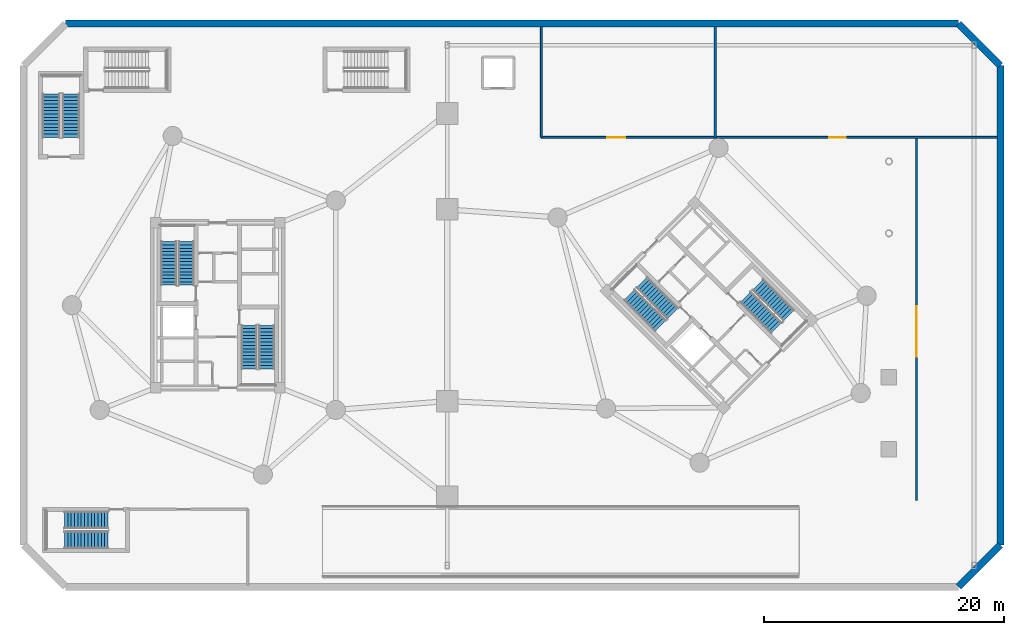
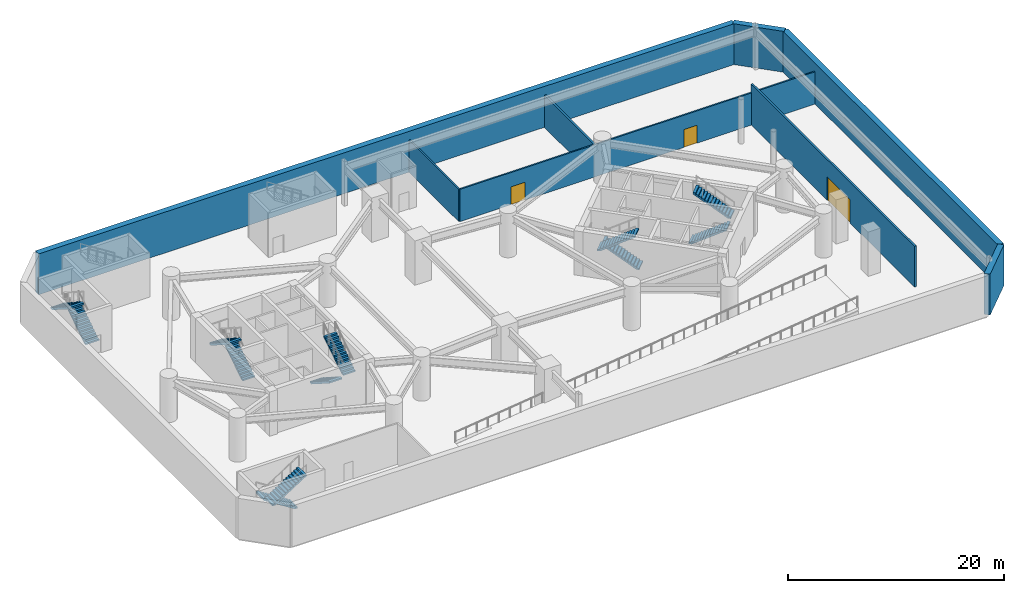
# One storey, part 8 of 14: 12 stair flights, 8 walls, 3 doors, 3 openings, 6 elements without a shape of their own.
"""IFC4 building model written with IfcOpenShell, lengths in metres."""

from ifc_helpers import new_model, si_unit, direction, frame, frame_2d, origin, place, context, subcontext, project, spatial, polyline, rectangle, outline, extrude, source, transform, mapped, material, layer, layer_set, type_object, element, fill, aggregate, save


model = new_model("IFC4")

# Units and contexts
model_context = context("Model", 3, precision=1e-05, world=origin(), true_north=direction((0.0, 1.0)))
body_context = subcontext(model_context, "Body", "Model", "MODEL_VIEW")
ifc_project = project(units=[si_unit("LENGTHUNIT", "METRE"), si_unit("AREAUNIT", "SQUARE_METRE"), si_unit("VOLUMEUNIT", "CUBIC_METRE"), si_unit("PLANEANGLEUNIT", "RADIAN"), si_unit("MASSUNIT", "GRAM", prefix="KILO")], contexts=[model_context])

# Site, building, storey
site_placement = place(None, origin())
site = spatial("IfcSite", under=ifc_project, at=site_placement, CompositionType="ELEMENT")
building_placement = place(site_placement, origin())
building = spatial("IfcBuilding", under=site, at=building_placement, Name="Cununo Teusaquillo Station Towers", CompositionType="ELEMENT")
storey_placement = place(building_placement, frame((0.0, 0.0, -5.0)))
storey = spatial("IfcBuildingStorey", under=building, at=storey_placement, Name="B01", CompositionType="ELEMENT", Elevation=-5.0)

# Wall, openings, doors
ifc_material_1 = material(Name="Fire-rated gypsum plasterboard partition assembly", Category="gypsum")
ifc_layer_1 = layer(ifc_material_1, 0.159912109375)
ifc_layer_set_1 = layer_set([ifc_layer_1], Name="Fire-rated gypsum plasterboard partition assembly")
wall_type_1 = type_object("IfcWallType", Name="WL-PART-160", PredefinedType="PARTITIONING", material=ifc_layer_set_1)
wall_1_placement = place(storey_placement, frame((43.5, 38.5, 0.0), z_axis=(0.0, 0.0, 1.0), x_axis=(1.0, 0.0, 0.0)))
wall_1 = element("IfcWall", 1, at=wall_1_placement, inside=storey, type_object=wall_type_1, Name="B01 North Service & Cycle Wall", PredefinedType="PARTITIONING", context=body_context, shape_type="SweptSolid", body=[
    extrude(rectangle(XDim=38.050048828125, YDim=0.159912109375, at=frame_2d((19.02490234375, 0.0))), origin(), (0.0, 0.0, 1.0), 3.64892578125),
])
shared_shape_1 = source(origin(), body_context, "Body", "SweptSolid", [
    extrude(rectangle(XDim=1.5, YDim=2.02001953125, at=frame_2d((0.75, 1.010009765625))), frame((0.0, 0.08984375, 0.0), z_axis=(0.0, -1.0, 0.0), x_axis=(1.0, 0.0, 0.0)), (0.0, 0.0, 1.0), 0.179931640625),
])
opening_1_placement = place(wall_1_placement, frame((5.5, 0.0, 0.0)))
opening_1 = element("IfcOpeningElement", 2, at=opening_1_placement, cuts=wall_1, Name="Opening D-LB1", PredefinedType="OPENING", context=body_context, shape_type="MappedRepresentation", body=[
    mapped(shared_shape_1, transform((0.0, 0.0, 0.0), x_axis=(1.0, 0.0, 0.0), y_axis=(0.0, 1.0, 0.0), z_axis=(0.0, 0.0, 1.0), scale=1.0)),
])
shared_shape_2 = source(origin(), body_context, "Body", "SweptSolid", [
    extrude(rectangle(XDim=1.39990234375, YDim=2.02001953125, at=frame_2d((0.699951171875, 1.010009765625))), frame((0.0, 0.08984375, 0.0), z_axis=(0.0, -1.0, 0.0), x_axis=(1.0, 0.0, 0.0)), (0.0, 0.0, 1.0), 0.179931640625),
])
opening_2_placement = place(wall_1_placement, frame((24.0, 0.0, 0.0)))
opening_2 = element("IfcOpeningElement", 3, at=opening_2_placement, cuts=wall_1, Name="Opening D-PL1", PredefinedType="OPENING", context=body_context, shape_type="MappedRepresentation", body=[
    mapped(shared_shape_2, transform((0.0, 0.0, 0.0), x_axis=(1.0, 0.0, 0.0), y_axis=(0.0, 1.0, 0.0), z_axis=(0.0, 0.0, 1.0), scale=1.0)),
])
ifc_material_2 = material(Name="Galvanised fire-rated hollow steel door assembly", Category="steel")
door_type_1 = type_object("IfcDoorType", Name="DR-LOBBY-1500", OperationType="DOUBLE_DOOR_SINGLE_SWING", PredefinedType="DOOR", material=ifc_material_2)
shared_shape_3 = source(origin(), body_context, "Body", "SweptSolid", [
    extrude(rectangle(XDim=1.5, YDim=2.02001953125, at=frame_2d((0.75, 1.010009765625))), frame((0.0, 0.02490234375, 0.0), z_axis=(0.0, -1.0, 0.0), x_axis=(1.0, 0.0, 0.0)), (0.0, 0.0, 1.0), 0.050048828125),
])
door_1_placement = place(opening_1_placement, origin())
door_1 = element("IfcDoor", 4, at=door_1_placement, inside=storey, type_object=door_type_1, Name="B01 Secure Commuter Bicycle Hub Door", OperationType="DOUBLE_DOOR_SINGLE_SWING", OverallHeight=2.02001953125, OverallWidth=1.5, PredefinedType="DOOR", context=body_context, shape_type="MappedRepresentation", body=[
    mapped(shared_shape_3, transform((0.0, 0.0, 0.0), x_axis=(1.0, 0.0, 0.0), y_axis=(0.0, 1.0, 0.0), z_axis=(0.0, 0.0, 1.0), scale=1.0)),
])
fill(opening_1, door_1)
ifc_material_3 = material(Name="Galvanised fire-rated hollow steel door assembly", Category="steel")
door_type_2 = type_object("IfcDoorType", Name="DR-PLANT-1400", OperationType="NOTDEFINED", PredefinedType="DOOR", material=ifc_material_3)
shared_shape_4 = source(origin(), body_context, "Body", "SweptSolid", [
    extrude(rectangle(XDim=1.39990234375, YDim=2.02001953125, at=frame_2d((0.699951171875, 1.010009765625))), frame((0.0, 0.02490234375, 0.0), z_axis=(0.0, -1.0, 0.0), x_axis=(1.0, 0.0, 0.0)), (0.0, 0.0, 1.0), 0.050048828125),
])
door_2_placement = place(opening_2_placement, origin())
door_2 = element("IfcDoor", 5, at=door_2_placement, inside=storey, type_object=door_type_2, Name="B01 Central Chiller Plant Door", OperationType="SINGLE_SWING_LEFT", OverallHeight=2.02001953125, OverallWidth=1.39990234375, PredefinedType="DOOR", context=body_context, shape_type="MappedRepresentation", body=[
    mapped(shared_shape_4, transform((0.0, 0.0, 0.0), x_axis=(1.0, 0.0, 0.0), y_axis=(0.0, 1.0, 0.0), z_axis=(0.0, 0.0, 1.0), scale=1.0)),
])
fill(opening_2, door_2)

# Walls
wall_2_placement = place(storey_placement, frame((43.5, 38.5, 0.0), z_axis=(0.0, 0.0, 1.0), x_axis=(0.0, 1.0, 0.0)))
element("IfcWall", 6, at=wall_2_placement, inside=storey, type_object=wall_type_1, Name="B01 Cycle Hub West Wall", PredefinedType="PARTITIONING", context=body_context, shape_type="SweptSolid", body=[
    extrude(rectangle(XDim=9.25, YDim=0.159912109375, at=frame_2d((4.625, 0.0))), origin(), (0.0, 0.0, 1.0), 3.64892578125),
])
ifc_material_4 = material(Name="Fire-rated gypsum plasterboard partition assembly", Category="gypsum")
ifc_layer_2 = layer(ifc_material_4, 0.199951171875)
ifc_layer_set_2 = layer_set([ifc_layer_2], Name="Fire-rated gypsum plasterboard partition assembly")
wall_type_2 = type_object("IfcWallType", Name="WL-PART-200", PredefinedType="PARTITIONING", material=ifc_layer_set_2)
wall_3_placement = place(storey_placement, frame((58.0, 38.5, 0.0), z_axis=(0.0, 0.0, 1.0), x_axis=(0.0, 1.0, 0.0)))
element("IfcWall", 7, at=wall_3_placement, inside=storey, type_object=wall_type_2, Name="B01 Cycle & Chiller Compartment Wall", PredefinedType="PARTITIONING", context=body_context, shape_type="SweptSolid", body=[
    extrude(rectangle(XDim=9.25, YDim=0.199951171875, at=frame_2d((4.625, 0.0))), origin(), (0.0, 0.0, 1.0), 3.64892578125),
])

# Wall, opening, door
wall_4_placement = place(storey_placement, frame((74.800048828125, 8.199951171875, 0.0), z_axis=(0.0, 0.0, 1.0), x_axis=(0.0, 1.0, 0.0)))
wall_4 = element("IfcWall", 8, at=wall_4_placement, inside=storey, type_object=wall_type_2, Name="B01 Service Loading Bay Wall", PredefinedType="PARTITIONING", context=body_context, shape_type="SweptSolid", body=[
    extrude(rectangle(XDim=30.300048828125, YDim=0.199951171875, at=frame_2d((15.14990234375, 0.0))), origin(), (0.0, 0.0, 1.0), 4.60498046875),
])
shared_shape_5 = source(origin(), body_context, "Body", "SweptSolid", [
    extrude(rectangle(XDim=4.199951171875, YDim=2.64990234375, at=frame_2d((2.10009765625, 1.324951171875))), frame((0.0, 0.10986328125, 0.0), z_axis=(0.0, -1.0, 0.0), x_axis=(1.0, 0.0, 0.0)), (0.0, 0.0, 1.0), 0.219970703125),
])
opening_3_placement = place(wall_4_placement, frame((12.0, 0.0, 0.0)))
opening_3 = element("IfcOpeningElement", 9, at=opening_3_placement, cuts=wall_4, Name="Opening D-RS1", PredefinedType="OPENING", context=body_context, shape_type="MappedRepresentation", body=[
    mapped(shared_shape_5, transform((0.0, 0.0, 0.0), x_axis=(1.0, 0.0, 0.0), y_axis=(0.0, 1.0, 0.0), z_axis=(0.0, 0.0, 1.0), scale=1.0)),
])
ifc_material_5 = material(Name="Galvanised fire-rated hollow steel door assembly", Category="steel")
door_type_3 = type_object("IfcDoorType", Name="DR-SHUTTER-4200", OperationType="ROLLINGUP", PredefinedType="GATE", material=ifc_material_5)
shared_shape_6 = source(origin(), body_context, "Body", "SweptSolid", [
    extrude(rectangle(XDim=4.199951171875, YDim=2.64990234375, at=frame_2d((2.10009765625, 1.324951171875))), frame((0.0, 0.02490234375, 0.0), z_axis=(0.0, -1.0, 0.0), x_axis=(1.0, 0.0, 0.0)), (0.0, 0.0, 1.0), 0.050048828125),
])
door_3_placement = place(opening_3_placement, origin())
door_3 = element("IfcDoor", 10, at=door_3_placement, inside=storey, type_object=door_type_3, Name="B01 Logistics Loading & Refuse Bay Door", OperationType="ROLLINGUP", OverallHeight=2.64990234375, OverallWidth=4.199951171875, PredefinedType="GATE", context=body_context, shape_type="MappedRepresentation", body=[
    mapped(shared_shape_6, transform((0.0, 0.0, 0.0), x_axis=(1.0, 0.0, 0.0), y_axis=(0.0, 1.0, 0.0), z_axis=(0.0, 0.0, 1.0), scale=1.0)),
])
fill(opening_3, door_3)

# Walls
ifc_material_6 = material(Name="Concrete C50/60", Category="concrete")
ifc_layer_3 = layer(ifc_material_6, 0.60009765625)
ifc_layer_set_3 = layer_set([ifc_layer_3], Name="Concrete C50/60")
wall_type_3 = type_object("IfcWallType", Name="WL-RET-600", PredefinedType="SOLIDWALL", material=ifc_layer_set_3)
wall_5_placement = place(storey_placement, frame((78.300048828125, 1.0, 0.0), z_axis=(0.0, 0.0, 1.0), x_axis=(0.707106781187, 0.707106781187, 0.0)))
element("IfcWall", 11, at=wall_5_placement, inside=storey, type_object=wall_type_3, Name="B01 Basement Diaphragm Retaining Wall 2", PredefinedType="SOLIDWALL", context=body_context, shape_type="SweptSolid", body=[
    extrude(rectangle(XDim=4.94970703125, YDim=0.60009765625, at=frame_2d((2.474853515625, 0.0))), origin(), (0.0, 0.0, 1.0), 4.6201171875),
])
wall_6_placement = place(storey_placement, frame((81.800048828125, 4.5, 0.0), z_axis=(0.0, 0.0, 1.0), x_axis=(0.0, 1.0, 0.0)))
element("IfcWall", 12, at=wall_6_placement, inside=storey, type_object=wall_type_3, Name="B01 Basement Diaphragm Retaining Wall 3", PredefinedType="SOLIDWALL", context=body_context, shape_type="SweptSolid", body=[
    extrude(rectangle(XDim=40.0, YDim=0.60009765625, at=frame_2d((20.0, 0.0))), origin(), (0.0, 0.0, 1.0), 4.6201171875),
])
wall_7_placement = place(storey_placement, frame((81.800048828125, 44.5, 0.0), z_axis=(0.0, 0.0, 1.0), x_axis=(-0.707106781187, 0.707106781187, 0.0)))
element("IfcWall", 13, at=wall_7_placement, inside=storey, type_object=wall_type_3, Name="B01 Basement Diaphragm Retaining Wall 4", PredefinedType="SOLIDWALL", context=body_context, shape_type="SweptSolid", body=[
    extrude(rectangle(XDim=4.94970703125, YDim=0.60009765625, at=frame_2d((2.474853515625, 0.0))), origin(), (0.0, 0.0, 1.0), 4.6201171875),
])
wall_8_placement = place(storey_placement, frame((78.300048828125, 48.0, 0.0), z_axis=(0.0, 0.0, 1.0), x_axis=(-1.0, 0.0, 0.0)))
element("IfcWall", 14, at=wall_8_placement, inside=storey, type_object=wall_type_3, Name="B01 Basement Diaphragm Retaining Wall 5", PredefinedType="SOLIDWALL", context=body_context, shape_type="SweptSolid", body=[
    extrude(rectangle(XDim=74.5, YDim=0.60009765625, at=frame_2d((37.25, 0.0))), origin(), (0.0, 0.0, 1.0), 4.6201171875),
])

# Stair, stair flights
ifc_material_7 = material(Name="Concrete C50/60", Category="concrete")
stair_type_1 = type_object("IfcStairType", Name="ST-POD-1450", PredefinedType="HALF_TURN_STAIR", material=ifc_material_7)
stair_1_placement = place(storey_placement, origin())
stair_1 = element("IfcStair", 15, at=stair_1_placement, inside=storey, type_object=stair_type_1, Name="B01 Station Podium South Protected Exit Stair", PredefinedType="HALF_TURN_STAIR")
ifc_material_8 = material(Name="Concrete C50/60", Category="concrete")
stair_flight_type_1 = type_object("IfcStairFlightType", Name="SFL-POD-1450", PredefinedType="STRAIGHT", material=ifc_material_8)
stair_flight_1_placement = place(storey_placement, frame((7.35009765625, 6.574951171875, 0.0), z_axis=(0.0, 0.0, 1.0), x_axis=(-1.0, 0.0, 0.0)))
stair_flight_1 = element("IfcStairFlight", 16, at=stair_flight_1_placement, type_object=stair_flight_type_1, Name="ST-POD-S flight 1", NumberOfRisers=14, NumberOfTreads=13, PredefinedType="STRAIGHT", RiserHeight=0.178571429, TreadLength=0.28, context=body_context, shape_type="SweptSolid", body=[
    extrude(outline(polyline([(0.0, 0.0), (0.0, 0.178466796875), (0.280029296875, 0.178466796875), (0.280029296875, 0.357177734375), (0.56005859375, 0.357177734375), (0.56005859375, 0.53564453125), (0.840087890625, 0.53564453125), (0.840087890625, 0.71435546875), (1.1201171875, 0.71435546875), (1.1201171875, 0.892822265625), (1.39990234375, 0.892822265625), (1.39990234375, 1.071533203125), (1.679931640625, 1.071533203125), (1.679931640625, 1.25), (1.9599609375, 1.25), (1.9599609375, 1.428466796875), (2.239990234375, 1.428466796875), (2.239990234375, 1.607177734375), (2.52001953125, 1.607177734375), (2.52001953125, 1.78564453125), (2.800048828125, 1.78564453125), (2.800048828125, 1.96435546875), (3.080078125, 1.96435546875), (3.080078125, 2.142822265625), (3.360107421875, 2.142822265625), (3.360107421875, 2.321533203125), (3.639892578125, 2.321533203125), (3.639892578125, 2.5), (3.639892578125, 2.1435546875), (0.27880859375, 0.0), (0.0, 0.0)])), frame((0.0, 0.72509765625, 0.0), z_axis=(0.0, -1.0, 0.0), x_axis=(1.0, 0.0, 0.0)), (0.0, 0.0, 1.0), 1.449951171875),
])
stair_flight_2_placement = place(storey_placement, frame((3.7099609375, 4.925048828125, 2.5), z_axis=(0.0, 0.0, 1.0), x_axis=(1.0, 0.0, 0.0)))
stair_flight_2 = element("IfcStairFlight", 17, at=stair_flight_2_placement, type_object=stair_flight_type_1, Name="ST-POD-S flight 2", NumberOfRisers=14, NumberOfTreads=13, PredefinedType="STRAIGHT", RiserHeight=0.178571429, TreadLength=0.28, context=body_context, shape_type="SweptSolid", body=[
    extrude(outline(polyline([(0.0, 0.0), (0.0, 0.178466796875), (0.280029296875, 0.178466796875), (0.280029296875, 0.357177734375), (0.56005859375, 0.357177734375), (0.56005859375, 0.53564453125), (0.840087890625, 0.53564453125), (0.840087890625, 0.71435546875), (1.1201171875, 0.71435546875), (1.1201171875, 0.892822265625), (1.39990234375, 0.892822265625), (1.39990234375, 1.071533203125), (1.679931640625, 1.071533203125), (1.679931640625, 1.25), (1.9599609375, 1.25), (1.9599609375, 1.428466796875), (2.239990234375, 1.428466796875), (2.239990234375, 1.607177734375), (2.52001953125, 1.607177734375), (2.52001953125, 1.78564453125), (2.800048828125, 1.78564453125), (2.800048828125, 1.96435546875), (3.080078125, 1.96435546875), (3.080078125, 2.142822265625), (3.360107421875, 2.142822265625), (3.360107421875, 2.321533203125), (3.639892578125, 2.321533203125), (3.639892578125, 2.5), (3.639892578125, 2.1435546875), (0.27880859375, 0.0), (0.0, 0.0)])), frame((0.0, 0.72509765625, 0.0), z_axis=(0.0, -1.0, 0.0), x_axis=(1.0, 0.0, 0.0)), (0.0, 0.0, 1.0), 1.449951171875),
])
aggregate(stair_1, [stair_flight_1, stair_flight_2])

stair_2_placement = place(storey_placement, origin())
stair_2 = element("IfcStair", 18, at=stair_2_placement, inside=storey, type_object=stair_type_1, Name="B01 Station Podium West Protected Exit Stair", PredefinedType="HALF_TURN_STAIR")
stair_flight_3_placement = place(storey_placement, frame((4.2548828125, 38.5, 0.0), z_axis=(0.0, 0.0, 1.0), x_axis=(0.0, 1.0, 0.0)))
stair_flight_3 = element("IfcStairFlight", 19, at=stair_flight_3_placement, type_object=stair_flight_type_1, Name="ST-POD-W flight 1", NumberOfRisers=14, NumberOfTreads=13, PredefinedType="STRAIGHT", RiserHeight=0.178571429, TreadLength=0.28, context=body_context, shape_type="SweptSolid", body=[
    extrude(outline(polyline([(0.0, 0.0), (0.0, 0.178466796875), (0.280029296875, 0.178466796875), (0.280029296875, 0.357177734375), (0.56005859375, 0.357177734375), (0.56005859375, 0.53564453125), (0.840087890625, 0.53564453125), (0.840087890625, 0.71435546875), (1.1201171875, 0.71435546875), (1.1201171875, 0.892822265625), (1.39990234375, 0.892822265625), (1.39990234375, 1.071533203125), (1.679931640625, 1.071533203125), (1.679931640625, 1.25), (1.9599609375, 1.25), (1.9599609375, 1.428466796875), (2.239990234375, 1.428466796875), (2.239990234375, 1.607177734375), (2.52001953125, 1.607177734375), (2.52001953125, 1.78564453125), (2.800048828125, 1.78564453125), (2.800048828125, 1.96435546875), (3.080078125, 1.96435546875), (3.080078125, 2.142822265625), (3.360107421875, 2.142822265625), (3.360107421875, 2.321533203125), (3.639892578125, 2.321533203125), (3.639892578125, 2.5), (3.639892578125, 2.1435546875), (0.27880859375, 0.0), (0.0, 0.0)])), frame((0.0, 0.72509765625, 0.0), z_axis=(0.0, -1.0, 0.0), x_axis=(1.0, 0.0, 0.0)), (0.0, 0.0, 1.0), 1.449951171875),
])
stair_flight_4_placement = place(storey_placement, frame((2.60498046875, 42.139892578125, 2.5), z_axis=(0.0, 0.0, 1.0), x_axis=(0.0, -1.0, 0.0)))
stair_flight_4 = element("IfcStairFlight", 20, at=stair_flight_4_placement, type_object=stair_flight_type_1, Name="ST-POD-W flight 2", NumberOfRisers=14, NumberOfTreads=13, PredefinedType="STRAIGHT", RiserHeight=0.178571429, TreadLength=0.28, context=body_context, shape_type="SweptSolid", body=[
    extrude(outline(polyline([(0.0, 0.0), (0.0, 0.178466796875), (0.280029296875, 0.178466796875), (0.280029296875, 0.357177734375), (0.56005859375, 0.357177734375), (0.56005859375, 0.53564453125), (0.840087890625, 0.53564453125), (0.840087890625, 0.71435546875), (1.1201171875, 0.71435546875), (1.1201171875, 0.892822265625), (1.39990234375, 0.892822265625), (1.39990234375, 1.071533203125), (1.679931640625, 1.071533203125), (1.679931640625, 1.25), (1.9599609375, 1.25), (1.9599609375, 1.428466796875), (2.239990234375, 1.428466796875), (2.239990234375, 1.607177734375), (2.52001953125, 1.607177734375), (2.52001953125, 1.78564453125), (2.800048828125, 1.78564453125), (2.800048828125, 1.96435546875), (3.080078125, 1.96435546875), (3.080078125, 2.142822265625), (3.360107421875, 2.142822265625), (3.360107421875, 2.321533203125), (3.639892578125, 2.321533203125), (3.639892578125, 2.5), (3.639892578125, 2.1435546875), (0.27880859375, 0.0), (0.0, 0.0)])), frame((0.0, 0.72509765625, 0.0), z_axis=(0.0, -1.0, 0.0), x_axis=(1.0, 0.0, 0.0)), (0.0, 0.0, 1.0), 1.449951171875),
])
aggregate(stair_2, [stair_flight_3, stair_flight_4])

ifc_material_9 = material(Name="Concrete C50/60", Category="concrete")
stair_type_2 = type_object("IfcStairType", Name="ST-TWR-1300", PredefinedType="HALF_TURN_STAIR", material=ifc_material_9)
stair_3_placement = place(storey_placement, origin())
stair_3 = element("IfcStair", 21, at=stair_3_placement, inside=storey, type_object=stair_type_2, Name="B01 Tower A Protected Core Exit Stair 1", PredefinedType="HALF_TURN_STAIR")
ifc_material_10 = material(Name="Concrete C50/60", Category="concrete")
stair_flight_type_2 = type_object("IfcStairFlightType", Name="SFL-TWR-1300", PredefinedType="STRAIGHT", material=ifc_material_10)
stair_flight_5_placement = place(storey_placement, frame((13.8701171875, 26.169921875, 0.0), z_axis=(0.0, 0.0, 1.0), x_axis=(0.0, 1.0, 0.0)))
stair_flight_5 = element("IfcStairFlight", 22, at=stair_flight_5_placement, type_object=stair_flight_type_2, Name="ST-T1-1 flight 1", NumberOfRisers=14, NumberOfTreads=13, PredefinedType="STRAIGHT", RiserHeight=0.178571429, TreadLength=0.28, context=body_context, shape_type="SweptSolid", body=[
    extrude(outline(polyline([(0.0, 0.0), (0.0, 0.178466796875), (0.280029296875, 0.178466796875), (0.280029296875, 0.357177734375), (0.56005859375, 0.357177734375), (0.56005859375, 0.53564453125), (0.840087890625, 0.53564453125), (0.840087890625, 0.71435546875), (1.1201171875, 0.71435546875), (1.1201171875, 0.892822265625), (1.39990234375, 0.892822265625), (1.39990234375, 1.071533203125), (1.679931640625, 1.071533203125), (1.679931640625, 1.25), (1.9599609375, 1.25), (1.9599609375, 1.428466796875), (2.239990234375, 1.428466796875), (2.239990234375, 1.607177734375), (2.52001953125, 1.607177734375), (2.52001953125, 1.78564453125), (2.800048828125, 1.78564453125), (2.800048828125, 1.96435546875), (3.080078125, 1.96435546875), (3.080078125, 2.142822265625), (3.360107421875, 2.142822265625), (3.360107421875, 2.321533203125), (3.639892578125, 2.321533203125), (3.639892578125, 2.5), (3.639892578125, 2.1435546875), (0.27880859375, 0.0), (0.0, 0.0)])), frame((0.0, 0.64990234375, 0.0), z_axis=(0.0, -1.0, 0.0), x_axis=(1.0, 0.0, 0.0)), (0.0, 0.0, 1.0), 1.300048828125),
])
stair_flight_6_placement = place(storey_placement, frame((12.409912109375, 29.81005859375, 2.5), z_axis=(0.0, 0.0, 1.0), x_axis=(0.0, -1.0, 0.0)))
stair_flight_6 = element("IfcStairFlight", 23, at=stair_flight_6_placement, type_object=stair_flight_type_2, Name="ST-T1-1 flight 2", NumberOfRisers=14, NumberOfTreads=13, PredefinedType="STRAIGHT", RiserHeight=0.178571429, TreadLength=0.28, context=body_context, shape_type="SweptSolid", body=[
    extrude(outline(polyline([(0.0, 0.0), (0.0, 0.178466796875), (0.280029296875, 0.178466796875), (0.280029296875, 0.357177734375), (0.56005859375, 0.357177734375), (0.56005859375, 0.53564453125), (0.840087890625, 0.53564453125), (0.840087890625, 0.71435546875), (1.1201171875, 0.71435546875), (1.1201171875, 0.892822265625), (1.39990234375, 0.892822265625), (1.39990234375, 1.071533203125), (1.679931640625, 1.071533203125), (1.679931640625, 1.25), (1.9599609375, 1.25), (1.9599609375, 1.428466796875), (2.239990234375, 1.428466796875), (2.239990234375, 1.607177734375), (2.52001953125, 1.607177734375), (2.52001953125, 1.78564453125), (2.800048828125, 1.78564453125), (2.800048828125, 1.96435546875), (3.080078125, 1.96435546875), (3.080078125, 2.142822265625), (3.360107421875, 2.142822265625), (3.360107421875, 2.321533203125), (3.639892578125, 2.321533203125), (3.639892578125, 2.5), (3.639892578125, 2.1435546875), (0.27880859375, 0.0), (0.0, 0.0)])), frame((0.0, 0.64990234375, 0.0), z_axis=(0.0, -1.0, 0.0), x_axis=(1.0, 0.0, 0.0)), (0.0, 0.0, 1.0), 1.300048828125),
])
aggregate(stair_3, [stair_flight_5, stair_flight_6])

stair_4_placement = place(storey_placement, origin())
stair_4 = element("IfcStair", 24, at=stair_4_placement, inside=storey, type_object=stair_type_2, Name="B01 Tower A Protected Core Exit Stair 2", PredefinedType="HALF_TURN_STAIR")
stair_flight_7_placement = place(storey_placement, frame((19.1298828125, 22.830078125, 0.0), z_axis=(0.0, 0.0, 1.0), x_axis=(0.0, -1.0, 0.0)))
stair_flight_7 = element("IfcStairFlight", 25, at=stair_flight_7_placement, type_object=stair_flight_type_2, Name="ST-T1-2 flight 1", NumberOfRisers=14, NumberOfTreads=13, PredefinedType="STRAIGHT", RiserHeight=0.178571429, TreadLength=0.28, context=body_context, shape_type="SweptSolid", body=[
    extrude(outline(polyline([(0.0, 0.0), (0.0, 0.178466796875), (0.280029296875, 0.178466796875), (0.280029296875, 0.357177734375), (0.56005859375, 0.357177734375), (0.56005859375, 0.53564453125), (0.840087890625, 0.53564453125), (0.840087890625, 0.71435546875), (1.1201171875, 0.71435546875), (1.1201171875, 0.892822265625), (1.39990234375, 0.892822265625), (1.39990234375, 1.071533203125), (1.679931640625, 1.071533203125), (1.679931640625, 1.25), (1.9599609375, 1.25), (1.9599609375, 1.428466796875), (2.239990234375, 1.428466796875), (2.239990234375, 1.607177734375), (2.52001953125, 1.607177734375), (2.52001953125, 1.78564453125), (2.800048828125, 1.78564453125), (2.800048828125, 1.96435546875), (3.080078125, 1.96435546875), (3.080078125, 2.142822265625), (3.360107421875, 2.142822265625), (3.360107421875, 2.321533203125), (3.639892578125, 2.321533203125), (3.639892578125, 2.5), (3.639892578125, 2.1435546875), (0.27880859375, 0.0), (0.0, 0.0)])), frame((0.0, 0.64990234375, 0.0), z_axis=(0.0, -1.0, 0.0), x_axis=(1.0, 0.0, 0.0)), (0.0, 0.0, 1.0), 1.300048828125),
])
stair_flight_8_placement = place(storey_placement, frame((20.590087890625, 19.18994140625, 2.5), z_axis=(0.0, 0.0, 1.0), x_axis=(0.0, 1.0, 0.0)))
stair_flight_8 = element("IfcStairFlight", 26, at=stair_flight_8_placement, type_object=stair_flight_type_2, Name="ST-T1-2 flight 2", NumberOfRisers=14, NumberOfTreads=13, PredefinedType="STRAIGHT", RiserHeight=0.178571429, TreadLength=0.28, context=body_context, shape_type="SweptSolid", body=[
    extrude(outline(polyline([(0.0, 0.0), (0.0, 0.178466796875), (0.280029296875, 0.178466796875), (0.280029296875, 0.357177734375), (0.56005859375, 0.357177734375), (0.56005859375, 0.53564453125), (0.840087890625, 0.53564453125), (0.840087890625, 0.71435546875), (1.1201171875, 0.71435546875), (1.1201171875, 0.892822265625), (1.39990234375, 0.892822265625), (1.39990234375, 1.071533203125), (1.679931640625, 1.071533203125), (1.679931640625, 1.25), (1.9599609375, 1.25), (1.9599609375, 1.428466796875), (2.239990234375, 1.428466796875), (2.239990234375, 1.607177734375), (2.52001953125, 1.607177734375), (2.52001953125, 1.78564453125), (2.800048828125, 1.78564453125), (2.800048828125, 1.96435546875), (3.080078125, 1.96435546875), (3.080078125, 2.142822265625), (3.360107421875, 2.142822265625), (3.360107421875, 2.321533203125), (3.639892578125, 2.321533203125), (3.639892578125, 2.5), (3.639892578125, 2.1435546875), (0.27880859375, 0.0), (0.0, 0.0)])), frame((0.0, 0.64990234375, 0.0), z_axis=(0.0, -1.0, 0.0), x_axis=(1.0, 0.0, 0.0)), (0.0, 0.0, 1.0), 1.300048828125),
])
aggregate(stair_4, [stair_flight_7, stair_flight_8])

stair_5_placement = place(storey_placement, origin())
stair_5 = element("IfcStair", 27, at=stair_5_placement, inside=storey, type_object=stair_type_2, Name="B01 Tower B Protected Core Exit Stair 1", PredefinedType="HALF_TURN_STAIR")
stair_flight_9_placement = place(storey_placement, frame((54.45947265625, 23.8212890625, 0.0), z_axis=(0.0, 0.0, 1.0), x_axis=(-0.707106781187, 0.707106781187, 0.0)))
stair_flight_9 = element("IfcStairFlight", 28, at=stair_flight_9_placement, type_object=stair_flight_type_2, Name="ST-T2-1 flight 1", NumberOfRisers=14, NumberOfTreads=13, PredefinedType="STRAIGHT", RiserHeight=0.178571429, TreadLength=0.28, context=body_context, shape_type="SweptSolid", body=[
    extrude(outline(polyline([(0.0, 0.0), (0.0, 0.178466796875), (0.280029296875, 0.178466796875), (0.280029296875, 0.357177734375), (0.56005859375, 0.357177734375), (0.56005859375, 0.53564453125), (0.840087890625, 0.53564453125), (0.840087890625, 0.71435546875), (1.1201171875, 0.71435546875), (1.1201171875, 0.892822265625), (1.39990234375, 0.892822265625), (1.39990234375, 1.071533203125), (1.679931640625, 1.071533203125), (1.679931640625, 1.25), (1.9599609375, 1.25), (1.9599609375, 1.428466796875), (2.239990234375, 1.428466796875), (2.239990234375, 1.607177734375), (2.52001953125, 1.607177734375), (2.52001953125, 1.78564453125), (2.800048828125, 1.78564453125), (2.800048828125, 1.96435546875), (3.080078125, 1.96435546875), (3.080078125, 2.142822265625), (3.360107421875, 2.142822265625), (3.360107421875, 2.321533203125), (3.639892578125, 2.321533203125), (3.639892578125, 2.5), (3.639892578125, 2.1435546875), (0.27880859375, 0.0), (0.0, 0.0)])), frame((0.0, 0.64990234375, 0.0), z_axis=(0.0, -1.0, 0.0), x_axis=(1.0, 0.0, 0.0)), (0.0, 0.0, 1.0), 1.300048828125),
])
stair_flight_10_placement = place(storey_placement, frame((50.853271484375, 25.362548828125, 2.5), z_axis=(0.0, 0.0, 1.0), x_axis=(0.707106781187, -0.707106781187, 0.0)))
stair_flight_10 = element("IfcStairFlight", 29, at=stair_flight_10_placement, type_object=stair_flight_type_2, Name="ST-T2-1 flight 2", NumberOfRisers=14, NumberOfTreads=13, PredefinedType="STRAIGHT", RiserHeight=0.178571429, TreadLength=0.28, context=body_context, shape_type="SweptSolid", body=[
    extrude(outline(polyline([(0.0, 0.0), (0.0, 0.178466796875), (0.280029296875, 0.178466796875), (0.280029296875, 0.357177734375), (0.56005859375, 0.357177734375), (0.56005859375, 0.53564453125), (0.840087890625, 0.53564453125), (0.840087890625, 0.71435546875), (1.1201171875, 0.71435546875), (1.1201171875, 0.892822265625), (1.39990234375, 0.892822265625), (1.39990234375, 1.071533203125), (1.679931640625, 1.071533203125), (1.679931640625, 1.25), (1.9599609375, 1.25), (1.9599609375, 1.428466796875), (2.239990234375, 1.428466796875), (2.239990234375, 1.607177734375), (2.52001953125, 1.607177734375), (2.52001953125, 1.78564453125), (2.800048828125, 1.78564453125), (2.800048828125, 1.96435546875), (3.080078125, 1.96435546875), (3.080078125, 2.142822265625), (3.360107421875, 2.142822265625), (3.360107421875, 2.321533203125), (3.639892578125, 2.321533203125), (3.639892578125, 2.5), (3.639892578125, 2.1435546875), (0.27880859375, 0.0), (0.0, 0.0)])), frame((0.0, 0.64990234375, 0.0), z_axis=(0.0, -1.0, 0.0), x_axis=(1.0, 0.0, 0.0)), (0.0, 0.0, 1.0), 1.300048828125),
])
aggregate(stair_5, [stair_flight_9, stair_flight_10])

stair_6_placement = place(storey_placement, origin())
stair_6 = element("IfcStair", 30, at=stair_6_placement, inside=storey, type_object=stair_type_2, Name="B01 Tower B Protected Core Exit Stair 2", PredefinedType="HALF_TURN_STAIR")
stair_flight_11_placement = place(storey_placement, frame((60.54052734375, 25.1787109375, 0.0), z_axis=(0.0, 0.0, 1.0), x_axis=(0.707106781187, -0.707106781187, 0.0)))
stair_flight_11 = element("IfcStairFlight", 31, at=stair_flight_11_placement, type_object=stair_flight_type_2, Name="ST-T2-2 flight 1", NumberOfRisers=14, NumberOfTreads=13, PredefinedType="STRAIGHT", RiserHeight=0.178571429, TreadLength=0.28, context=body_context, shape_type="SweptSolid", body=[
    extrude(outline(polyline([(0.0, 0.0), (0.0, 0.178466796875), (0.280029296875, 0.178466796875), (0.280029296875, 0.357177734375), (0.56005859375, 0.357177734375), (0.56005859375, 0.53564453125), (0.840087890625, 0.53564453125), (0.840087890625, 0.71435546875), (1.1201171875, 0.71435546875), (1.1201171875, 0.892822265625), (1.39990234375, 0.892822265625), (1.39990234375, 1.071533203125), (1.679931640625, 1.071533203125), (1.679931640625, 1.25), (1.9599609375, 1.25), (1.9599609375, 1.428466796875), (2.239990234375, 1.428466796875), (2.239990234375, 1.607177734375), (2.52001953125, 1.607177734375), (2.52001953125, 1.78564453125), (2.800048828125, 1.78564453125), (2.800048828125, 1.96435546875), (3.080078125, 1.96435546875), (3.080078125, 2.142822265625), (3.360107421875, 2.142822265625), (3.360107421875, 2.321533203125), (3.639892578125, 2.321533203125), (3.639892578125, 2.5), (3.639892578125, 2.1435546875), (0.27880859375, 0.0), (0.0, 0.0)])), frame((0.0, 0.64990234375, 0.0), z_axis=(0.0, -1.0, 0.0), x_axis=(1.0, 0.0, 0.0)), (0.0, 0.0, 1.0), 1.300048828125),
])
stair_flight_12_placement = place(storey_placement, frame((64.146728515625, 23.637451171875, 2.5), z_axis=(0.0, 0.0, 1.0), x_axis=(-0.707106781187, 0.707106781187, 0.0)))
stair_flight_12 = element("IfcStairFlight", 32, at=stair_flight_12_placement, type_object=stair_flight_type_2, Name="ST-T2-2 flight 2", NumberOfRisers=14, NumberOfTreads=13, PredefinedType="STRAIGHT", RiserHeight=0.178571429, TreadLength=0.28, context=body_context, shape_type="SweptSolid", body=[
    extrude(outline(polyline([(0.0, 0.0), (0.0, 0.178466796875), (0.280029296875, 0.178466796875), (0.280029296875, 0.357177734375), (0.56005859375, 0.357177734375), (0.56005859375, 0.53564453125), (0.840087890625, 0.53564453125), (0.840087890625, 0.71435546875), (1.1201171875, 0.71435546875), (1.1201171875, 0.892822265625), (1.39990234375, 0.892822265625), (1.39990234375, 1.071533203125), (1.679931640625, 1.071533203125), (1.679931640625, 1.25), (1.9599609375, 1.25), (1.9599609375, 1.428466796875), (2.239990234375, 1.428466796875), (2.239990234375, 1.607177734375), (2.52001953125, 1.607177734375), (2.52001953125, 1.78564453125), (2.800048828125, 1.78564453125), (2.800048828125, 1.96435546875), (3.080078125, 1.96435546875), (3.080078125, 2.142822265625), (3.360107421875, 2.142822265625), (3.360107421875, 2.321533203125), (3.639892578125, 2.321533203125), (3.639892578125, 2.5), (3.639892578125, 2.1435546875), (0.27880859375, 0.0), (0.0, 0.0)])), frame((0.0, 0.64990234375, 0.0), z_axis=(0.0, -1.0, 0.0), x_axis=(1.0, 0.0, 0.0)), (0.0, 0.0, 1.0), 1.300048828125),
])
aggregate(stair_6, [stair_flight_11, stair_flight_12])

save(model, "model.ifc")
